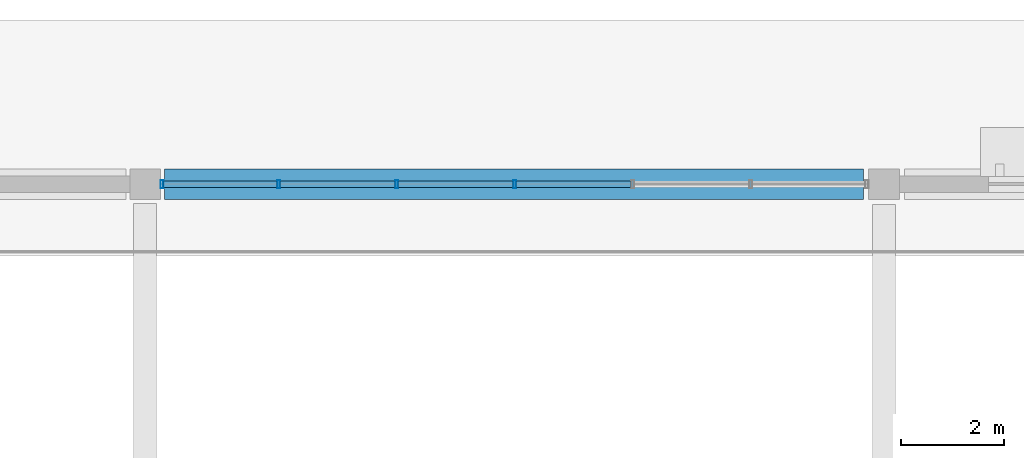
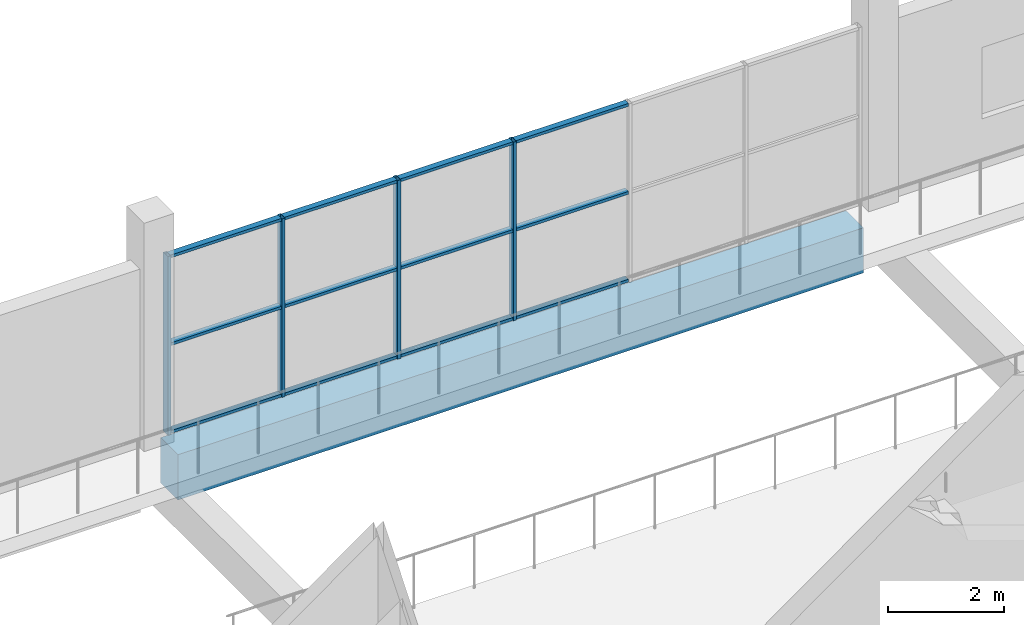
# One storey, part 45 of 130: 16 members, 1 beam, 1 element without a shape of its own.
"""IFC4 building model written with IfcOpenShell, lengths in metres."""

from ifc_helpers import new_model, si_unit, direction, frame, origin, origin_2d, place, context, subcontext, project, spatial, rectangle, hollow_rectangle, extrude, material, material_profile, profile_set, type_object, element, aggregate, save


model = new_model("IFC4")

# Units and contexts
model_context = context("Model", 3, precision=1e-05, world=origin(), true_north=direction((0.0, 1.0)))
body_context = subcontext(model_context, "Body", "Model", "MODEL_VIEW")
ifc_project = project(units=[si_unit("LENGTHUNIT", "METRE"), si_unit("AREAUNIT", "SQUARE_METRE"), si_unit("VOLUMEUNIT", "CUBIC_METRE"), si_unit("PLANEANGLEUNIT", "RADIAN"), si_unit("MASSUNIT", "GRAM", prefix="KILO"), si_unit("THERMODYNAMICTEMPERATUREUNIT", "KELVIN")], contexts=[model_context])

# Site, building, storey
site_placement = place(None, origin())
site = spatial("IfcSite", under=ifc_project, at=site_placement, CompositionType="ELEMENT")
building_placement = place(site_placement, origin())
building = spatial("IfcBuilding", under=site, at=building_placement, Name="Nduvali Passage Aquatics Centre", CompositionType="ELEMENT")
storey_placement = place(building_placement, origin())
storey = spatial("IfcBuildingStorey", under=building, at=storey_placement, Name="L00", CompositionType="ELEMENT", Elevation=0.0)

# Curtain wall, members
ifc_material_1 = material(Name="Aluminium EN AW-6063 T6", Category="aluminium")
curtain_wall_type = type_object("IfcCurtainWallType", Name="ENV-CW-WELL", PredefinedType="NOTDEFINED", material=ifc_material_1)
curtain_wall_placement = place(storey_placement, origin())
curtain_wall = element("IfcCurtainWall", 1, at=curtain_wall_placement, inside=storey, type_object=curtain_wall_type, Name="L00 North Avenue Lobby CW 099", PredefinedType="NOTDEFINED")
ifc_material_profile_1 = material_profile(ifc_material_1, hollow_rectangle(XDim=0.06005859375, YDim=0.159912109375, WallThickness=0.00390625, at=origin_2d()), Name="ALU MULLION 60x160x4")
ifc_profile_set_1 = profile_set([ifc_material_profile_1], Name="Aluminium EN AW-6063 T6")
member_type_1 = type_object("IfcMemberType", Name="ENV-MEM-MUL60", PredefinedType="MULLION", material=ifc_profile_set_1)
member_1_placement = place(storey_placement, frame((54.330078125, 117.60009765625, 0.0), z_axis=(0.0, 0.0, 1.0), x_axis=(1.0, 0.0, 0.0)))
member_1 = element("IfcMember", 2, at=member_1_placement, type_object=member_type_1, Name="North Avenue Lobby CW Mullion 1", PredefinedType="MULLION", context=body_context, shape_type="SweptSolid", body=[
    extrude(hollow_rectangle(XDim=0.06005859375, YDim=0.159912109375, WallThickness=0.00390625, at=origin_2d()), origin(), (0.0, 0.0, 1.0), 3.75390625),
])
member_2_placement = place(storey_placement, frame((56.60009765625, 117.60009765625, 0.0), z_axis=(0.0, 0.0, 1.0), x_axis=(1.0, 0.0, 0.0)))
member_2 = element("IfcMember", 3, at=member_2_placement, type_object=member_type_1, Name="North Avenue Lobby CW Mullion 2", PredefinedType="MULLION", context=body_context, shape_type="SweptSolid", body=[
    extrude(hollow_rectangle(XDim=0.06005859375, YDim=0.159912109375, WallThickness=0.00390625, at=origin_2d()), origin(), (0.0, 0.0, 1.0), 3.75390625),
])
member_3_placement = place(storey_placement, frame((58.89990234375, 117.60009765625, 0.0), z_axis=(0.0, 0.0, 1.0), x_axis=(1.0, 0.0, 0.0)))
member_3 = element("IfcMember", 4, at=member_3_placement, type_object=member_type_1, Name="North Avenue Lobby CW Mullion 3", PredefinedType="MULLION", context=body_context, shape_type="SweptSolid", body=[
    extrude(hollow_rectangle(XDim=0.06005859375, YDim=0.159912109375, WallThickness=0.00390625, at=origin_2d()), origin(), (0.0, 0.0, 1.0), 3.75390625),
])
member_4_placement = place(storey_placement, frame((61.199951171875, 117.60009765625, 0.0), z_axis=(0.0, 0.0, 1.0), x_axis=(1.0, 0.0, 0.0)))
member_4 = element("IfcMember", 5, at=member_4_placement, type_object=member_type_1, Name="North Avenue Lobby CW Mullion 4", PredefinedType="MULLION", context=body_context, shape_type="SweptSolid", body=[
    extrude(hollow_rectangle(XDim=0.06005859375, YDim=0.159912109375, WallThickness=0.00390625, at=origin_2d()), origin(), (0.0, 0.0, 1.0), 3.75390625),
])
ifc_material_profile_2 = material_profile(ifc_material_1, hollow_rectangle(XDim=0.1201171875, YDim=0.06005859375, WallThickness=0.00390625, at=origin_2d()), Name="ALU TRANSOM 120x60x4")
ifc_profile_set_2 = profile_set([ifc_material_profile_2], Name="Aluminium EN AW-6063 T6")
member_type_2 = type_object("IfcMemberType", Name="ENV-MEM-TRN60", PredefinedType="USERDEFINED", material=ifc_profile_set_2)
member_5_placement = place(storey_placement, frame((54.360107421875, 117.60009765625, 0.030029296875), z_axis=(1.0, 0.0, 0.0), x_axis=(0.0, 1.0, 0.0)))
member_5 = element("IfcMember", 6, at=member_5_placement, type_object=member_type_2, Name="North Avenue Lobby CW Transom B1-R0", ObjectType="TRANSOM", PredefinedType="USERDEFINED", context=body_context, shape_type="SweptSolid", body=[
    extrude(hollow_rectangle(XDim=0.1201171875, YDim=0.06005859375, WallThickness=0.00390625, at=origin_2d()), origin(), (0.0, 0.0, 1.0), 2.2099609375),
])
member_6_placement = place(storey_placement, frame((54.360107421875, 117.60009765625, 1.876953125), z_axis=(1.0, 0.0, 0.0), x_axis=(0.0, 1.0, 0.0)))
member_6 = element("IfcMember", 7, at=member_6_placement, type_object=member_type_2, Name="North Avenue Lobby CW Transom B1-R1", ObjectType="TRANSOM", PredefinedType="USERDEFINED", context=body_context, shape_type="SweptSolid", body=[
    extrude(hollow_rectangle(XDim=0.1201171875, YDim=0.06005859375, WallThickness=0.00390625, at=origin_2d()), origin(), (0.0, 0.0, 1.0), 2.2099609375),
])
member_7_placement = place(storey_placement, frame((54.360107421875, 117.60009765625, 3.723876953125), z_axis=(1.0, 0.0, 0.0), x_axis=(0.0, 1.0, 0.0)))
member_7 = element("IfcMember", 8, at=member_7_placement, type_object=member_type_2, Name="North Avenue Lobby CW Transom B1-R2", ObjectType="TRANSOM", PredefinedType="USERDEFINED", context=body_context, shape_type="SweptSolid", body=[
    extrude(hollow_rectangle(XDim=0.1201171875, YDim=0.06005859375, WallThickness=0.00390625, at=origin_2d()), origin(), (0.0, 0.0, 1.0), 2.2099609375),
])
member_8_placement = place(storey_placement, frame((56.6298828125, 117.60009765625, 0.030029296875), z_axis=(1.0, 0.0, 0.0), x_axis=(0.0, 1.0, 0.0)))
member_8 = element("IfcMember", 9, at=member_8_placement, type_object=member_type_2, Name="North Avenue Lobby CW Transom B2-R0", ObjectType="TRANSOM", PredefinedType="USERDEFINED", context=body_context, shape_type="SweptSolid", body=[
    extrude(hollow_rectangle(XDim=0.1201171875, YDim=0.06005859375, WallThickness=0.00390625, at=origin_2d()), origin(), (0.0, 0.0, 1.0), 2.240234375),
])
member_9_placement = place(storey_placement, frame((56.6298828125, 117.60009765625, 1.876953125), z_axis=(1.0, 0.0, 0.0), x_axis=(0.0, 1.0, 0.0)))
member_9 = element("IfcMember", 10, at=member_9_placement, type_object=member_type_2, Name="North Avenue Lobby CW Transom B2-R1", ObjectType="TRANSOM", PredefinedType="USERDEFINED", context=body_context, shape_type="SweptSolid", body=[
    extrude(hollow_rectangle(XDim=0.1201171875, YDim=0.06005859375, WallThickness=0.00390625, at=origin_2d()), origin(), (0.0, 0.0, 1.0), 2.240234375),
])
member_10_placement = place(storey_placement, frame((56.6298828125, 117.60009765625, 3.723876953125), z_axis=(1.0, 0.0, 0.0), x_axis=(0.0, 1.0, 0.0)))
member_10 = element("IfcMember", 11, at=member_10_placement, type_object=member_type_2, Name="North Avenue Lobby CW Transom B2-R2", ObjectType="TRANSOM", PredefinedType="USERDEFINED", context=body_context, shape_type="SweptSolid", body=[
    extrude(hollow_rectangle(XDim=0.1201171875, YDim=0.06005859375, WallThickness=0.00390625, at=origin_2d()), origin(), (0.0, 0.0, 1.0), 2.240234375),
])
member_11_placement = place(storey_placement, frame((58.929931640625, 117.60009765625, 0.030029296875), z_axis=(1.0, 0.0, 0.0), x_axis=(0.0, 1.0, 0.0)))
member_11 = element("IfcMember", 12, at=member_11_placement, type_object=member_type_2, Name="North Avenue Lobby CW Transom B3-R0", ObjectType="TRANSOM", PredefinedType="USERDEFINED", context=body_context, shape_type="SweptSolid", body=[
    extrude(hollow_rectangle(XDim=0.1201171875, YDim=0.06005859375, WallThickness=0.00390625, at=origin_2d()), origin(), (0.0, 0.0, 1.0), 2.239990234375),
])
member_12_placement = place(storey_placement, frame((58.929931640625, 117.60009765625, 1.876953125), z_axis=(1.0, 0.0, 0.0), x_axis=(0.0, 1.0, 0.0)))
member_12 = element("IfcMember", 13, at=member_12_placement, type_object=member_type_2, Name="North Avenue Lobby CW Transom B3-R1", ObjectType="TRANSOM", PredefinedType="USERDEFINED", context=body_context, shape_type="SweptSolid", body=[
    extrude(hollow_rectangle(XDim=0.1201171875, YDim=0.06005859375, WallThickness=0.00390625, at=origin_2d()), origin(), (0.0, 0.0, 1.0), 2.239990234375),
])
member_13_placement = place(storey_placement, frame((58.929931640625, 117.60009765625, 3.723876953125), z_axis=(1.0, 0.0, 0.0), x_axis=(0.0, 1.0, 0.0)))
member_13 = element("IfcMember", 14, at=member_13_placement, type_object=member_type_2, Name="North Avenue Lobby CW Transom B3-R2", ObjectType="TRANSOM", PredefinedType="USERDEFINED", context=body_context, shape_type="SweptSolid", body=[
    extrude(hollow_rectangle(XDim=0.1201171875, YDim=0.06005859375, WallThickness=0.00390625, at=origin_2d()), origin(), (0.0, 0.0, 1.0), 2.239990234375),
])
member_14_placement = place(storey_placement, frame((61.22998046875, 117.60009765625, 0.030029296875), z_axis=(1.0, 0.0, 0.0), x_axis=(0.0, 1.0, 0.0)))
member_14 = element("IfcMember", 15, at=member_14_placement, type_object=member_type_2, Name="North Avenue Lobby CW Transom B4-R0", ObjectType="TRANSOM", PredefinedType="USERDEFINED", context=body_context, shape_type="SweptSolid", body=[
    extrude(hollow_rectangle(XDim=0.1201171875, YDim=0.06005859375, WallThickness=0.00390625, at=origin_2d()), origin(), (0.0, 0.0, 1.0), 2.239990234375),
])
member_15_placement = place(storey_placement, frame((61.22998046875, 117.60009765625, 1.876953125), z_axis=(1.0, 0.0, 0.0), x_axis=(0.0, 1.0, 0.0)))
member_15 = element("IfcMember", 16, at=member_15_placement, type_object=member_type_2, Name="North Avenue Lobby CW Transom B4-R1", ObjectType="TRANSOM", PredefinedType="USERDEFINED", context=body_context, shape_type="SweptSolid", body=[
    extrude(hollow_rectangle(XDim=0.1201171875, YDim=0.06005859375, WallThickness=0.00390625, at=origin_2d()), origin(), (0.0, 0.0, 1.0), 2.239990234375),
])
member_16_placement = place(storey_placement, frame((61.22998046875, 117.60009765625, 3.723876953125), z_axis=(1.0, 0.0, 0.0), x_axis=(0.0, 1.0, 0.0)))
member_16 = element("IfcMember", 17, at=member_16_placement, type_object=member_type_2, Name="North Avenue Lobby CW Transom B4-R2", ObjectType="TRANSOM", PredefinedType="USERDEFINED", context=body_context, shape_type="SweptSolid", body=[
    extrude(hollow_rectangle(XDim=0.1201171875, YDim=0.06005859375, WallThickness=0.00390625, at=origin_2d()), origin(), (0.0, 0.0, 1.0), 2.239990234375),
])
aggregate(curtain_wall, [member_1, member_2, member_3, member_4, member_5, member_6, member_7, member_8, member_9, member_10, member_11, member_12, member_13, member_14, member_15, member_16])

# Beam
ifc_material_2 = material(Name="Concrete C40/50", Category="concrete")
ifc_material_profile_3 = material_profile(ifc_material_2, rectangle(XDim=0.60009765625, YDim=0.949951171875, at=origin_2d()), Name="RC 600x950")
ifc_profile_set_3 = profile_set([ifc_material_profile_3], Name="Concrete C40/50")
beam_type = type_object("IfcBeamType", Name="STR-BM-RC6095-EXT", PredefinedType="BEAM", material=ifc_profile_set_3)
beam_placement = place(storey_placement, frame((54.375, 117.60009765625, -0.77490234375), z_axis=(1.0, 0.0, 0.0), x_axis=(0.0, 1.0, 0.0)))
element("IfcBeam", 18, at=beam_placement, inside=storey, type_object=beam_type, Name="L00 Primary X-Girder B1E-0108", PredefinedType="BEAM", context=body_context, shape_type="SweptSolid", body=[
    extrude(rectangle(XDim=0.60009765625, YDim=0.949951171875, at=origin_2d()), origin(), (0.0, 0.0, 1.0), 13.625),
])

save(model, "model.ifc")
